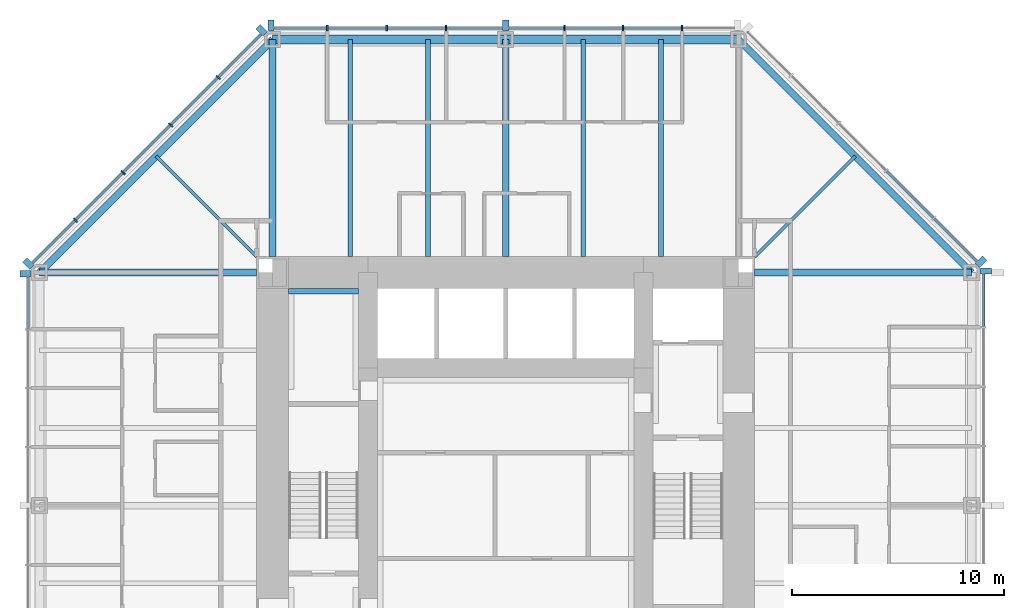
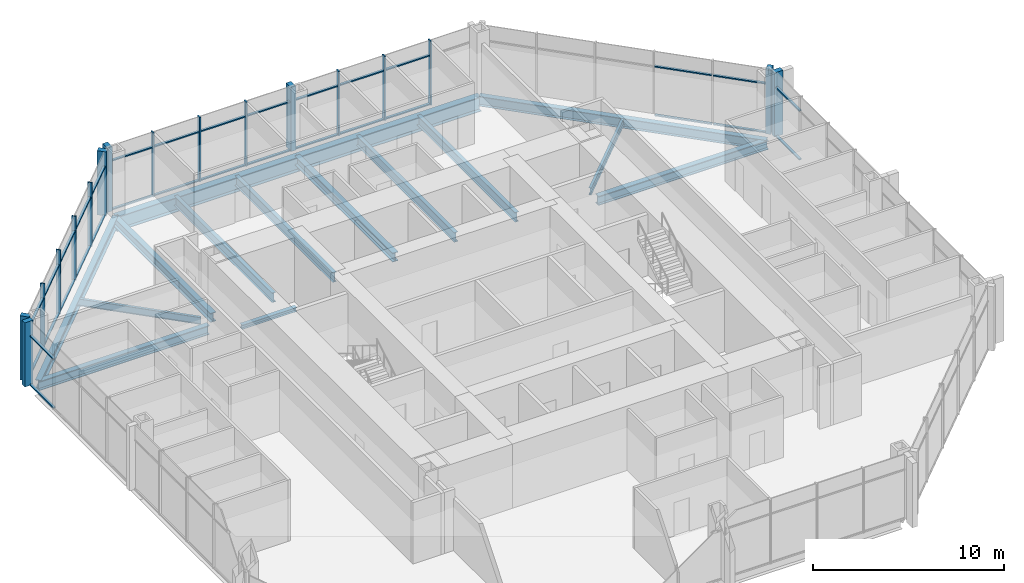
# One storey, part 5 of 14: 49 members, 15 beams, 5 elements without a shape of their own.
"""IFC4 building model written with IfcOpenShell, lengths in metres."""

import ifcopenshell
import ifcopenshell.guid

model = None  # the IFC model being written
_history = None  # IfcOwnerHistory: only IFC2X3 demands one
_inside = {}  # id of a spatial element -> (the spatial element, [elements in it])
_under = {}  # id of a project, library or spatial element -> (it, [spatial elements below it])
_declared = {}  # id of a project -> (the project, [libraries it declares])
_typed = {}  # id of a type object -> (the type object, [elements of that type])
_made_of = {}  # id of a material, layer set ... -> (it, [elements and type objects made of it])


def new_model(schema):
    """Start an empty IFC model of exactly this schema.

    Asked for "IFC4X3", IfcOpenShell would pick the latest addendum, in which some entities
    have other attributes; the version numbers below select the first issue.
    IFC2X3 requires an IfcOwnerHistory on every rooted entity: one is made here for all.
    """
    global model, _history
    if schema == "IFC4X3":
        model = ifcopenshell.file(schema_version=(4, 3, 0, 0))
    else:
        model = ifcopenshell.file(schema=schema)
    _inside.clear()
    _under.clear()
    _declared.clear()
    _typed.clear()
    _made_of.clear()
    _history = None
    if model.schema == "IFC2X3":
        org = make("IfcOrganization", Name="unknown")
        user = make(
            "IfcPersonAndOrganization",
            ThePerson=make("IfcPerson", FamilyName="unknown"),
            TheOrganization=org,
        )
        app = make(
            "IfcApplication",
            ApplicationDeveloper=org,
            Version="unknown",
            ApplicationFullName="unknown",
            ApplicationIdentifier="unknown",
        )
        _history = make(
            "IfcOwnerHistory",
            OwningUser=user,
            OwningApplication=app,
            ChangeAction="ADDED",
            CreationDate=0,
        )
    return model


def make(cls, **values):
    """One entity of the class cls with the attributes given. An attribute that is None is left unset."""
    return model.create_entity(
        cls, **{name: value for name, value in values.items() if value is not None}
    )


def rooted(cls, **values):
    """An entity with a GlobalId (a new one), such as an element, a storey or a relation."""
    return make(cls, GlobalId=ifcopenshell.guid.new(), OwnerHistory=_history, **values)


def si_unit(unit_type, name, prefix=None):
    """IfcSIUnit, for example si_unit("LENGTHUNIT", "METRE", prefix="MILLI")."""
    return make("IfcSIUnit", UnitType=unit_type, Prefix=prefix, Name=name)


def assignment(units):
    """IfcUnitAssignment: the units of a project."""
    return None if units is None else make("IfcUnitAssignment", Units=units)


def point(xyz):
    """IfcCartesianPoint."""
    return None if xyz is None else make("IfcCartesianPoint", Coordinates=xyz)


def direction(xyz):
    """IfcDirection."""
    return None if xyz is None else make("IfcDirection", DirectionRatios=xyz)


def frame(location, z_axis=None, x_axis=None):
    """IfcAxis2Placement3D, a coordinate frame: its origin and axes. An axis left out is left unset."""
    return make(
        "IfcAxis2Placement3D",
        Location=point(location),
        Axis=direction(z_axis),
        RefDirection=direction(x_axis),
    )


def frame_2d(location, x_axis=None):
    """IfcAxis2Placement2D, a coordinate frame in the plane: its origin and x axis."""
    return make(
        "IfcAxis2Placement2D", Location=point(location), RefDirection=direction(x_axis)
    )


def origin():
    """The frame at (0, 0, 0) with its axes left unset."""
    return frame((0.0, 0.0, 0.0))


def origin_2d():
    """The frame at (0, 0) in the plane with its x axis left unset."""
    return frame_2d((0.0, 0.0))


def place(relative_to, where):
    """IfcLocalPlacement: puts the frame where relative to a parent placement (None: the world)."""
    return make(
        "IfcLocalPlacement", PlacementRelTo=relative_to, RelativePlacement=where
    )


def context(
    kind, dimensions, precision=None, world=None, true_north=None, identifier=None
):
    """IfcGeometricRepresentationContext, for example the 3D "Model" context."""
    return make(
        "IfcGeometricRepresentationContext",
        ContextIdentifier=identifier,
        ContextType=kind,
        CoordinateSpaceDimension=dimensions,
        Precision=precision,
        WorldCoordinateSystem=world,
        TrueNorth=true_north,
    )


def subcontext(parent, identifier, kind, view, scale=None):
    """IfcGeometricRepresentationSubContext, for example "Body" below "Model"."""
    return make(
        "IfcGeometricRepresentationSubContext",
        ContextIdentifier=identifier,
        ContextType=kind,
        ParentContext=parent,
        TargetScale=scale,
        TargetView=view,
    )


def project(units=None, contexts=None):
    """IfcProject with its units and contexts."""
    return rooted(
        "IfcProject",
        Name="project",
        RepresentationContexts=contexts,
        UnitsInContext=assignment(units),
    )


def spatial(cls, under=None, at=None, **own):
    """A site, building, storey or space (cls), placed at a placement, below another one or the project."""
    s = rooted(cls, ObjectPlacement=at, **own)
    if under is not None:
        _under.setdefault(under.id(), (under, []))[1].append(s)
    return s


def profile(cls, at=None, kind="AREA", **sizes):
    """A parametric profile (cls). Its sizes go by their IFC names, for example OverallWidth=200.0."""
    return make(cls, ProfileType=kind, Position=at, **sizes)


def rectangle(**sizes):
    """IfcRectangleProfileDef."""
    return profile("IfcRectangleProfileDef", **sizes)


def i_section(**sizes):
    """IfcIShapeProfileDef."""
    return profile("IfcIShapeProfileDef", **sizes)


def extrude(swept, where, along, depth):
    """IfcExtrudedAreaSolid: the profile swept, set in the frame where, extruded along a direction by depth."""
    return make(
        "IfcExtrudedAreaSolid",
        SweptArea=swept,
        Position=where,
        ExtrudedDirection=direction(along),
        Depth=depth,
    )


def shape(context_of_items, identifier, shape_type, items):
    """IfcShapeRepresentation: the items that make up one representation, for example the "Body"."""
    return make(
        "IfcShapeRepresentation",
        ContextOfItems=context_of_items,
        RepresentationIdentifier=identifier,
        RepresentationType=shape_type,
        Items=items,
    )


def material(Name=None, Category=None):
    """IfcMaterial."""
    return make("IfcMaterial", Name=Name, Category=Category)


def material_profile(
    of_material, cross_section, Name=None, Category=None, Priority=None
):
    """IfcMaterialProfile: a cross section and its material."""
    return make(
        "IfcMaterialProfile",
        Name=Name,
        Material=of_material,
        Profile=cross_section,
        Priority=Priority,
        Category=Category,
    )


def profile_set(profiles, Name=None, composite=None):
    """IfcMaterialProfileSet."""
    return make(
        "IfcMaterialProfileSet",
        Name=Name,
        MaterialProfiles=profiles,
        CompositeProfile=composite,
    )


def made_of(thing, what):
    """Note that an element or type object is made of a material, layer set ...; save() writes the relation."""
    if what is not None:
        _made_of.setdefault(what.id(), (what, []))[1].append(thing)
    return thing


def type_object(cls, material=None, **own):
    """A type object (cls), such as IfcWallType, which elements share."""
    return made_of(rooted(cls, **own), material)


def element(
    cls,
    number,
    at=None,
    inside=None,
    cuts=None,
    type_object=None,
    material=None,
    context=None,
    identifier="Body",
    shape_type=None,
    held_by="IfcProductDefinitionShape",
    body=None,
    shapes=None,
    **own,
):
    """One element of the class cls, such as IfcWall. Its Tag is "e" and its number.

    at: its placement. inside: the storey or other place that contains it. cuts: it is an
    opening in that element (IfcRelVoidsElement). A single representation is given by context,
    identifier, shape_type and body (its items); several are given by shapes. held_by: the class
    of the entity that holds the representations. save() writes the other relations.
    """
    e = rooted(cls, Tag="e%d" % number, ObjectPlacement=at, **own)
    if body is not None:
        shapes = [shape(context, identifier, shape_type, body)]
    if shapes is not None:
        e.Representation = make(held_by, Representations=shapes)
    if inside is not None:
        _inside.setdefault(inside.id(), (inside, []))[1].append(e)
    if cuts is not None:
        rooted(
            "IfcRelVoidsElement", RelatingBuildingElement=cuts, RelatedOpeningElement=e
        )
    if type_object is not None:
        _typed.setdefault(type_object.id(), (type_object, []))[1].append(e)
    return made_of(e, material)


def aggregate(whole, parts):
    """IfcRelAggregates: a whole, such as a stair, and the parts it consists of."""
    return rooted("IfcRelAggregates", RelatingObject=whole, RelatedObjects=parts)


def save(model, path):
    """Write the relations noted so far, then the file.

    IfcRelAggregates (storeys below a building ...), IfcRelContainedInSpatialStructure (elements
    in a storey), IfcRelDefinesByType, IfcRelAssociatesMaterial and IfcRelDeclares: one each for
    every whole, place, type object, material and project.
    """
    for whole, parts in _under.values():
        aggregate(whole, parts)
    for where, things in _inside.values():
        rooted(
            "IfcRelContainedInSpatialStructure",
            RelatedElements=things,
            RelatingStructure=where,
        )
    for kind, things in _typed.values():
        rooted("IfcRelDefinesByType", RelatedObjects=things, RelatingType=kind)
    for what, things in _made_of.values():
        rooted("IfcRelAssociatesMaterial", RelatedObjects=things, RelatingMaterial=what)
    for by, libraries in _declared.values():
        rooted("IfcRelDeclares", RelatingContext=by, RelatedDefinitions=libraries)
    model.write(path)


model = new_model("IFC4")

# Units and contexts
model_context = context("Model", 3, precision=1e-05, world=origin(), true_north=direction((0.0, 1.0)))
body_context = subcontext(model_context, "Body", "Model", "MODEL_VIEW")
ifc_project = project(units=[si_unit("LENGTHUNIT", "METRE"), si_unit("AREAUNIT", "SQUARE_METRE"), si_unit("VOLUMEUNIT", "CUBIC_METRE"), si_unit("PLANEANGLEUNIT", "RADIAN"), si_unit("MASSUNIT", "GRAM", prefix="KILO")], contexts=[model_context])

# Site, building, storey
site_placement = place(None, origin())
site = spatial("IfcSite", under=ifc_project, at=site_placement, CompositionType="ELEMENT")
building_placement = place(site_placement, origin())
building = spatial("IfcBuilding", under=site, at=building_placement, Name="Trevanion Tower", CompositionType="ELEMENT")
storey_placement = place(building_placement, frame((0.0, 0.0, 100.800048828125)))
storey = spatial("IfcBuildingStorey", under=building, at=storey_placement, Name="L23", CompositionType="ELEMENT", Elevation=100.800048828125)

# Beams
ifc_material_1 = material(Name="Steel ASTM A992 Grade 50", Category="steel")
ifc_material_profile_1 = material_profile(ifc_material_1, i_section(OverallWidth=0.22900390625, OverallDepth=0.612060546875, WebThickness=0.011962890625, FlangeThickness=0.01953125, at=origin_2d()), Name="W24X84")
ifc_profile_set_1 = profile_set([ifc_material_profile_1], Name="Steel ASTM A992 Grade 50")
beam_type_1 = type_object("IfcBeamType", Name="B7 W24X84", PredefinedType="BEAM", material=ifc_profile_set_1)
for number, where, z_axis, x_axis, name in (
    (1, (7.333251953125, 11.75, -0.49609375), (0.0, 1.0, 0.0), (-1.0, 0.0, 0.0), "B7 L23"),
    (2, (3.666748046875, 11.75, -0.49609375), (0.0, 1.0, 0.0), (-1.0, 0.0, 0.0), "B7 L23"),
    (3, (-3.666748046875, 11.75, -0.49609375), (0.0, 1.0, 0.0), (-1.0, 0.0, 0.0), "B7 L23"),
    (4, (-7.333251953125, 11.75, -0.49609375), (0.0, 1.0, 0.0), (-1.0, 0.0, 0.0), "B7 L23"),
):
    element("IfcBeam", number, at=place(storey_placement, frame(where, z_axis=z_axis, x_axis=x_axis)), inside=storey, type_object=beam_type_1, Name=name, PredefinedType="BEAM", context=body_context, shape_type="SweptSolid", body=[
        extrude(i_section(OverallWidth=0.22900390625, OverallDepth=0.612060546875, WebThickness=0.011962890625, FlangeThickness=0.01953125, at=origin_2d()), origin(), (0.0, 0.0, 1.0), 10.25),
    ])
ifc_material_2 = material(Name="Steel ASTM A992 Grade 50", Category="steel")
ifc_material_profile_2 = material_profile(ifc_material_2, i_section(OverallWidth=0.15234375, OverallDepth=0.449462890625, WebThickness=0.007568359375, FlangeThickness=0.0107421875, at=origin_2d()), Name="W18X35")
ifc_profile_set_2 = profile_set([ifc_material_profile_2], Name="Steel ASTM A992 Grade 50")
beam_type_2 = type_object("IfcBeamType", Name="B8 W18X35", PredefinedType="BEAM", material=ifc_profile_set_2)
for number, where, z_axis, x_axis, name in (
    (5, (11.75, 11.75, -0.414794921875), (0.707106781187, 0.707106781187, 0.0), (-0.707106781187, 0.707106781187, 0.0), "B8 L23"),
    (6, (-11.75, 11.75, -0.414794921875), (-0.707106781187, 0.707106781187, 0.0), (-0.707106781187, -0.707106781187, 0.0), "B8 L23"),
):
    element("IfcBeam", number, at=place(storey_placement, frame(where, z_axis=z_axis, x_axis=x_axis)), inside=storey, type_object=beam_type_2, Name=name, PredefinedType="BEAM", context=body_context, shape_type="SweptSolid", body=[
        extrude(i_section(OverallWidth=0.15234375, OverallDepth=0.449462890625, WebThickness=0.007568359375, FlangeThickness=0.0107421875, at=origin_2d()), origin(), (0.0, 0.0, 1.0), 6.717529296875),
    ])

# Curtain wall, members
ifc_material_3 = material(Name="Aluminium and glass", Category="aluminium")
curtain_wall_type = type_object("IfcCurtainWallType", Name="CW2 curtain wall", PredefinedType="USERDEFINED", material=ifc_material_3)
curtain_wall_1_placement = place(storey_placement, origin())
curtain_wall_1 = element("IfcCurtainWall", 7, at=curtain_wall_1_placement, inside=storey, type_object=curtain_wall_type, Name="CW2 L23 2", ObjectType="UNITISED CURTAIN WALL", PredefinedType="USERDEFINED")
ifc_material_4 = material(Name="Aluminium extrusion, anodised bronze", Category="aluminium")
ifc_material_profile_3 = material_profile(ifc_material_4, rectangle(XDim=0.074951171875, YDim=0.25, at=origin_2d()), Name="CW2 mullion")
ifc_profile_set_3 = profile_set([ifc_material_profile_3], Name="Aluminium extrusion, anodised bronze")
member_type_1 = type_object("IfcMemberType", Name="CW2 mullion", PredefinedType="MULLION", material=ifc_profile_set_3)
member_1_placement = place(storey_placement, frame((8.323486328125, 22.550048828125, -0.18994140625), z_axis=(0.0, 0.0, 1.0), x_axis=(-1.0, 0.0, 0.0)))
member_1 = element("IfcMember", 8, at=member_1_placement, type_object=member_type_1, Name="CW2 mullion 2", PredefinedType="MULLION", context=body_context, shape_type="SweptSolid", body=[
    extrude(rectangle(XDim=0.074951171875, YDim=0.25, at=origin_2d()), origin(), (0.0, 0.0, 1.0), 4.099853515625),
])
member_2_placement = place(storey_placement, frame((5.548828125, 22.550048828125, -0.18994140625), z_axis=(0.0, 0.0, 1.0), x_axis=(-1.0, 0.0, 0.0)))
member_2 = element("IfcMember", 9, at=member_2_placement, type_object=member_type_1, Name="CW2 mullion 3", PredefinedType="MULLION", context=body_context, shape_type="SweptSolid", body=[
    extrude(rectangle(XDim=0.074951171875, YDim=0.25, at=origin_2d()), origin(), (0.0, 0.0, 1.0), 4.099853515625),
])
member_3_placement = place(storey_placement, frame((2.7744140625, 22.550048828125, -0.18994140625), z_axis=(0.0, 0.0, 1.0), x_axis=(-1.0, 0.0, 0.0)))
member_3 = element("IfcMember", 10, at=member_3_placement, type_object=member_type_1, Name="CW2 mullion 4", PredefinedType="MULLION", context=body_context, shape_type="SweptSolid", body=[
    extrude(rectangle(XDim=0.074951171875, YDim=0.25, at=origin_2d()), origin(), (0.0, 0.0, 1.0), 4.099853515625),
])
member_4_placement = place(storey_placement, frame((-2.806884765625, 22.550048828125, -0.18994140625), z_axis=(0.0, 0.0, 1.0), x_axis=(-1.0, 0.0, 0.0)))
member_4 = element("IfcMember", 11, at=member_4_placement, type_object=member_type_1, Name="CW2 mullion 6", PredefinedType="MULLION", context=body_context, shape_type="SweptSolid", body=[
    extrude(rectangle(XDim=0.074951171875, YDim=0.25, at=origin_2d()), origin(), (0.0, 0.0, 1.0), 4.099853515625),
])
member_5_placement = place(storey_placement, frame((-5.614013671875, 22.550048828125, -0.18994140625), z_axis=(0.0, 0.0, 1.0), x_axis=(-1.0, 0.0, 0.0)))
member_5 = element("IfcMember", 12, at=member_5_placement, type_object=member_type_1, Name="CW2 mullion 7", PredefinedType="MULLION", context=body_context, shape_type="SweptSolid", body=[
    extrude(rectangle(XDim=0.074951171875, YDim=0.25, at=origin_2d()), origin(), (0.0, 0.0, 1.0), 4.099853515625),
])
member_6_placement = place(storey_placement, frame((-8.4208984375, 22.550048828125, -0.18994140625), z_axis=(0.0, 0.0, 1.0), x_axis=(-1.0, 0.0, 0.0)))
member_6 = element("IfcMember", 13, at=member_6_placement, type_object=member_type_1, Name="CW2 mullion 8", PredefinedType="MULLION", context=body_context, shape_type="SweptSolid", body=[
    extrude(rectangle(XDim=0.074951171875, YDim=0.25, at=origin_2d()), origin(), (0.0, 0.0, 1.0), 4.099853515625),
])

curtain_wall_2_placement = place(storey_placement, origin())
curtain_wall_2 = element("IfcCurtainWall", 14, at=curtain_wall_2_placement, inside=storey, type_object=curtain_wall_type, Name="CW2 L23 3", ObjectType="UNITISED CURTAIN WALL", PredefinedType="USERDEFINED")
member_7_placement = place(storey_placement, frame((-13.56591796875, 20.2119140625, -0.18994140625), z_axis=(0.0, 0.0, 1.0), x_axis=(-0.707106781187, -0.707106781187, 0.0)))
member_7 = element("IfcMember", 15, at=member_7_placement, type_object=member_type_1, Name="CW2 mullion 2", PredefinedType="MULLION", context=body_context, shape_type="SweptSolid", body=[
    extrude(rectangle(XDim=0.074951171875, YDim=0.25, at=origin_2d()), origin(), (0.0, 0.0, 1.0), 4.099853515625),
])
member_8_placement = place(storey_placement, frame((-15.811767578125, 17.966064453125, -0.18994140625), z_axis=(0.0, 0.0, 1.0), x_axis=(-0.707106781187, -0.707106781187, 0.0)))
member_8 = element("IfcMember", 16, at=member_8_placement, type_object=member_type_1, Name="CW2 mullion 3", PredefinedType="MULLION", context=body_context, shape_type="SweptSolid", body=[
    extrude(rectangle(XDim=0.074951171875, YDim=0.25, at=origin_2d()), origin(), (0.0, 0.0, 1.0), 4.099853515625),
])
member_9_placement = place(storey_placement, frame((-18.057861328125, 15.719970703125, -0.18994140625), z_axis=(0.0, 0.0, 1.0), x_axis=(-0.707106781187, -0.707106781187, 0.0)))
member_9 = element("IfcMember", 17, at=member_9_placement, type_object=member_type_1, Name="CW2 mullion 4", PredefinedType="MULLION", context=body_context, shape_type="SweptSolid", body=[
    extrude(rectangle(XDim=0.074951171875, YDim=0.25, at=origin_2d()), origin(), (0.0, 0.0, 1.0), 4.099853515625),
])
member_10_placement = place(storey_placement, frame((-20.303955078125, 13.473876953125, -0.18994140625), z_axis=(0.0, 0.0, 1.0), x_axis=(-0.707106781187, -0.707106781187, 0.0)))
member_10 = element("IfcMember", 18, at=member_10_placement, type_object=member_type_1, Name="CW2 mullion 5", PredefinedType="MULLION", context=body_context, shape_type="SweptSolid", body=[
    extrude(rectangle(XDim=0.074951171875, YDim=0.25, at=origin_2d()), origin(), (0.0, 0.0, 1.0), 4.099853515625),
])

# Curtain wall, member
curtain_wall_3_placement = place(storey_placement, origin())
curtain_wall_3 = element("IfcCurtainWall", 19, at=curtain_wall_3_placement, inside=storey, type_object=curtain_wall_type, Name="CW2 L23 0", ObjectType="UNITISED CURTAIN WALL", PredefinedType="USERDEFINED")
ifc_material_5 = material(Name="Aluminium extrusion, anodised bronze", Category="aluminium")
ifc_material_profile_4 = material_profile(ifc_material_5, rectangle(XDim=0.300048828125, YDim=0.5, at=origin_2d()), Name="CW2 pier mullion")
ifc_profile_set_4 = profile_set([ifc_material_profile_4], Name="Aluminium extrusion, anodised bronze")
member_type_2 = type_object("IfcMemberType", Name="CW2 pier mullion", PredefinedType="MULLION", material=ifc_profile_set_4)
member_11_placement = place(storey_placement, frame((22.675048828125, 11.077880859375, -0.18994140625), z_axis=(0.0, 0.0, 1.0), x_axis=(0.0, 1.0, 0.0)))
member_11 = element("IfcMember", 20, at=member_11_placement, type_object=member_type_2, Name="CW2 pier mullion 9", PredefinedType="MULLION", context=body_context, shape_type="SweptSolid", body=[
    extrude(rectangle(XDim=0.300048828125, YDim=0.5, at=origin_2d()), origin(), (0.0, 0.0, 1.0), 4.099853515625),
])

curtain_wall_4_placement = place(storey_placement, origin())
curtain_wall_4 = element("IfcCurtainWall", 21, at=curtain_wall_4_placement, inside=storey, type_object=curtain_wall_type, Name="CW2 L23 1", ObjectType="UNITISED CURTAIN WALL", PredefinedType="USERDEFINED")
member_12_placement = place(storey_placement, frame((22.4404296875, 11.51416015625, -0.18994140625), z_axis=(0.0, 0.0, 1.0), x_axis=(-0.707106781187, 0.707106781187, 0.0)))
member_12 = element("IfcMember", 22, at=member_12_placement, type_object=member_type_2, Name="CW2 pier mullion 1", PredefinedType="MULLION", context=body_context, shape_type="SweptSolid", body=[
    extrude(rectangle(XDim=0.300048828125, YDim=0.5, at=origin_2d()), origin(), (0.0, 0.0, 1.0), 4.099853515625),
])

# Member
member_13_placement = place(storey_placement, frame((0.0, 22.675048828125, -0.18994140625), z_axis=(0.0, 0.0, 1.0), x_axis=(-1.0, 0.0, 0.0)))
member_13 = element("IfcMember", 23, at=member_13_placement, type_object=member_type_2, Name="CW2 pier mullion 5", PredefinedType="MULLION", context=body_context, shape_type="SweptSolid", body=[
    extrude(rectangle(XDim=0.300048828125, YDim=0.5, at=origin_2d()), origin(), (0.0, 0.0, 1.0), 4.099853515625),
])

member_14_placement = place(storey_placement, frame((-11.077880859375, 22.675048828125, -0.18994140625), z_axis=(0.0, 0.0, 1.0), x_axis=(-1.0, 0.0, 0.0)))
member_14 = element("IfcMember", 24, at=member_14_placement, type_object=member_type_2, Name="CW2 pier mullion 9", PredefinedType="MULLION", context=body_context, shape_type="SweptSolid", body=[
    extrude(rectangle(XDim=0.300048828125, YDim=0.5, at=origin_2d()), origin(), (0.0, 0.0, 1.0), 4.099853515625),
])

member_15_placement = place(storey_placement, frame((-11.51416015625, 22.4404296875, -0.18994140625), z_axis=(0.0, 0.0, 1.0), x_axis=(-0.707106781187, -0.707106781187, 0.0)))
member_15 = element("IfcMember", 25, at=member_15_placement, type_object=member_type_2, Name="CW2 pier mullion 1", PredefinedType="MULLION", context=body_context, shape_type="SweptSolid", body=[
    extrude(rectangle(XDim=0.300048828125, YDim=0.5, at=origin_2d()), origin(), (0.0, 0.0, 1.0), 4.099853515625),
])

member_16_placement = place(storey_placement, frame((-22.5322265625, 11.42236328125, -0.18994140625), z_axis=(0.0, 0.0, 1.0), x_axis=(-0.707106781187, -0.707106781187, 0.0)))
member_16 = element("IfcMember", 26, at=member_16_placement, type_object=member_type_2, Name="CW2 pier mullion 6", PredefinedType="MULLION", context=body_context, shape_type="SweptSolid", body=[
    extrude(rectangle(XDim=0.300048828125, YDim=0.5, at=origin_2d()), origin(), (0.0, 0.0, 1.0), 4.099853515625),
])

# Curtain wall, member
curtain_wall_5_placement = place(storey_placement, origin())
curtain_wall_5 = element("IfcCurtainWall", 27, at=curtain_wall_5_placement, inside=storey, type_object=curtain_wall_type, Name="CW2 L23 4", ObjectType="UNITISED CURTAIN WALL", PredefinedType="USERDEFINED")
member_17_placement = place(storey_placement, frame((-22.675048828125, 10.94775390625, -0.18994140625), z_axis=(0.0, 0.0, 1.0), x_axis=(0.0, -1.0, 0.0)))
member_17 = element("IfcMember", 28, at=member_17_placement, type_object=member_type_2, Name="CW2 pier mullion 1", PredefinedType="MULLION", context=body_context, shape_type="SweptSolid", body=[
    extrude(rectangle(XDim=0.300048828125, YDim=0.5, at=origin_2d()), origin(), (0.0, 0.0, 1.0), 4.099853515625),
])

# Member
ifc_material_6 = material(Name="Aluminium extrusion, anodised bronze", Category="aluminium")
ifc_material_profile_5 = material_profile(ifc_material_6, rectangle(XDim=0.14990234375, YDim=0.074951171875, at=origin_2d()), Name="CW2 transom")
ifc_profile_set_5 = profile_set([ifc_material_profile_5], Name="Aluminium extrusion, anodised bronze")
member_type_3 = type_object("IfcMemberType", Name="CW2 transom", PredefinedType="USERDEFINED", material=ifc_profile_set_5)
member_18_placement = place(storey_placement, frame((22.550048828125, 8.45849609375, -0.152587890625), z_axis=(0.0, 1.0, 0.0), x_axis=(-1.0, 0.0, 0.0)))
member_18 = element("IfcMember", 29, at=member_18_placement, type_object=member_type_3, Name="CW2 transom 8.1", ObjectType="TRANSOM", PredefinedType="USERDEFINED", context=body_context, shape_type="SweptSolid", body=[
    extrude(rectangle(XDim=0.14990234375, YDim=0.074951171875, at=origin_2d()), origin(), (0.0, 0.0, 1.0), 2.46923828125),
])

member_19_placement = place(storey_placement, frame((22.550048828125, 8.45849609375, 2.9599609375), z_axis=(0.0, 1.0, 0.0), x_axis=(-1.0, 0.0, 0.0)))
member_19 = element("IfcMember", 30, at=member_19_placement, type_object=member_type_3, Name="CW2 transom 8.2", ObjectType="TRANSOM", PredefinedType="USERDEFINED", context=body_context, shape_type="SweptSolid", body=[
    extrude(rectangle(XDim=0.14990234375, YDim=0.074951171875, at=origin_2d()), origin(), (0.0, 0.0, 1.0), 2.46923828125),
])

aggregate(curtain_wall_3, [member_11, member_18, member_19])

member_20_placement = place(storey_placement, frame((22.245849609375, 11.531982421875, -0.152587890625), z_axis=(-0.707106781187, 0.707106781187, 0.0), x_axis=(-0.707106781187, -0.707106781187, 0.0)))
member_20 = element("IfcMember", 31, at=member_20_placement, type_object=member_type_3, Name="CW2 transom 1.1", ObjectType="TRANSOM", PredefinedType="USERDEFINED", context=body_context, shape_type="SweptSolid", body=[
    extrude(rectangle(XDim=0.14990234375, YDim=0.074951171875, at=origin_2d()), origin(), (0.0, 0.0, 1.0), 2.8388671875),
])

member_21_placement = place(storey_placement, frame((22.245849609375, 11.531982421875, 2.9599609375), z_axis=(-0.707106781187, 0.707106781187, 0.0), x_axis=(-0.707106781187, -0.707106781187, 0.0)))
member_21 = element("IfcMember", 32, at=member_21_placement, type_object=member_type_3, Name="CW2 transom 1.2", ObjectType="TRANSOM", PredefinedType="USERDEFINED", context=body_context, shape_type="SweptSolid", body=[
    extrude(rectangle(XDim=0.14990234375, YDim=0.074951171875, at=origin_2d()), origin(), (0.0, 0.0, 1.0), 2.8388671875),
])

member_22_placement = place(storey_placement, frame((20.185546875, 13.59228515625, -0.152587890625), z_axis=(-0.707106781187, 0.707106781187, 0.0), x_axis=(-0.707106781187, -0.707106781187, 0.0)))
member_22 = element("IfcMember", 33, at=member_22_placement, type_object=member_type_3, Name="CW2 transom 2.1", ObjectType="TRANSOM", PredefinedType="USERDEFINED", context=body_context, shape_type="SweptSolid", body=[
    extrude(rectangle(XDim=0.14990234375, YDim=0.074951171875, at=origin_2d()), origin(), (0.0, 0.0, 1.0), 3.1015625),
])

member_23_placement = place(storey_placement, frame((20.185546875, 13.59228515625, 2.9599609375), z_axis=(-0.707106781187, 0.707106781187, 0.0), x_axis=(-0.707106781187, -0.707106781187, 0.0)))
member_23 = element("IfcMember", 34, at=member_23_placement, type_object=member_type_3, Name="CW2 transom 2.2", ObjectType="TRANSOM", PredefinedType="USERDEFINED", context=body_context, shape_type="SweptSolid", body=[
    extrude(rectangle(XDim=0.14990234375, YDim=0.074951171875, at=origin_2d()), origin(), (0.0, 0.0, 1.0), 3.1015625),
])

aggregate(curtain_wall_4, [member_12, member_20, member_21, member_22, member_23])

member_24_placement = place(storey_placement, frame((8.285888671875, 22.550048828125, -0.152587890625), z_axis=(-1.0, 0.0, 0.0), x_axis=(0.0, -1.0, 0.0)))
member_24 = element("IfcMember", 35, at=member_24_placement, type_object=member_type_3, Name="CW2 transom 2.1", ObjectType="TRANSOM", PredefinedType="USERDEFINED", context=body_context, shape_type="SweptSolid", body=[
    extrude(rectangle(XDim=0.14990234375, YDim=0.074951171875, at=origin_2d()), origin(), (0.0, 0.0, 1.0), 2.699462890625),
])

member_25_placement = place(storey_placement, frame((8.285888671875, 22.550048828125, 2.9599609375), z_axis=(-1.0, 0.0, 0.0), x_axis=(0.0, -1.0, 0.0)))
member_25 = element("IfcMember", 36, at=member_25_placement, type_object=member_type_3, Name="CW2 transom 2.2", ObjectType="TRANSOM", PredefinedType="USERDEFINED", context=body_context, shape_type="SweptSolid", body=[
    extrude(rectangle(XDim=0.14990234375, YDim=0.074951171875, at=origin_2d()), origin(), (0.0, 0.0, 1.0), 2.699462890625),
])

member_26_placement = place(storey_placement, frame((5.511474609375, 22.550048828125, -0.152587890625), z_axis=(-1.0, 0.0, 0.0), x_axis=(0.0, -1.0, 0.0)))
member_26 = element("IfcMember", 37, at=member_26_placement, type_object=member_type_3, Name="CW2 transom 3.1", ObjectType="TRANSOM", PredefinedType="USERDEFINED", context=body_context, shape_type="SweptSolid", body=[
    extrude(rectangle(XDim=0.14990234375, YDim=0.074951171875, at=origin_2d()), origin(), (0.0, 0.0, 1.0), 2.699462890625),
])

member_27_placement = place(storey_placement, frame((5.511474609375, 22.550048828125, 2.9599609375), z_axis=(-1.0, 0.0, 0.0), x_axis=(0.0, -1.0, 0.0)))
member_27 = element("IfcMember", 38, at=member_27_placement, type_object=member_type_3, Name="CW2 transom 3.2", ObjectType="TRANSOM", PredefinedType="USERDEFINED", context=body_context, shape_type="SweptSolid", body=[
    extrude(rectangle(XDim=0.14990234375, YDim=0.074951171875, at=origin_2d()), origin(), (0.0, 0.0, 1.0), 2.699462890625),
])

member_28_placement = place(storey_placement, frame((2.737060546875, 22.550048828125, -0.152587890625), z_axis=(-1.0, 0.0, 0.0), x_axis=(0.0, -1.0, 0.0)))
member_28 = element("IfcMember", 39, at=member_28_placement, type_object=member_type_3, Name="CW2 transom 4.1", ObjectType="TRANSOM", PredefinedType="USERDEFINED", context=body_context, shape_type="SweptSolid", body=[
    extrude(rectangle(XDim=0.14990234375, YDim=0.074951171875, at=origin_2d()), origin(), (0.0, 0.0, 1.0), 2.587158203125),
])

member_29_placement = place(storey_placement, frame((2.737060546875, 22.550048828125, 2.9599609375), z_axis=(-1.0, 0.0, 0.0), x_axis=(0.0, -1.0, 0.0)))
member_29 = element("IfcMember", 40, at=member_29_placement, type_object=member_type_3, Name="CW2 transom 4.2", ObjectType="TRANSOM", PredefinedType="USERDEFINED", context=body_context, shape_type="SweptSolid", body=[
    extrude(rectangle(XDim=0.14990234375, YDim=0.074951171875, at=origin_2d()), origin(), (0.0, 0.0, 1.0), 2.587158203125),
])

member_30_placement = place(storey_placement, frame((-0.14990234375, 22.550048828125, -0.152587890625), z_axis=(-1.0, 0.0, 0.0), x_axis=(0.0, -1.0, 0.0)))
member_30 = element("IfcMember", 41, at=member_30_placement, type_object=member_type_3, Name="CW2 transom 5.1", ObjectType="TRANSOM", PredefinedType="USERDEFINED", context=body_context, shape_type="SweptSolid", body=[
    extrude(rectangle(XDim=0.14990234375, YDim=0.074951171875, at=origin_2d()), origin(), (0.0, 0.0, 1.0), 2.619384765625),
])

member_31_placement = place(storey_placement, frame((-0.14990234375, 22.550048828125, 2.9599609375), z_axis=(-1.0, 0.0, 0.0), x_axis=(0.0, -1.0, 0.0)))
member_31 = element("IfcMember", 42, at=member_31_placement, type_object=member_type_3, Name="CW2 transom 5.2", ObjectType="TRANSOM", PredefinedType="USERDEFINED", context=body_context, shape_type="SweptSolid", body=[
    extrude(rectangle(XDim=0.14990234375, YDim=0.074951171875, at=origin_2d()), origin(), (0.0, 0.0, 1.0), 2.619384765625),
])

member_32_placement = place(storey_placement, frame((-2.844482421875, 22.550048828125, -0.152587890625), z_axis=(-1.0, 0.0, 0.0), x_axis=(0.0, -1.0, 0.0)))
member_32 = element("IfcMember", 43, at=member_32_placement, type_object=member_type_3, Name="CW2 transom 6.1", ObjectType="TRANSOM", PredefinedType="USERDEFINED", context=body_context, shape_type="SweptSolid", body=[
    extrude(rectangle(XDim=0.14990234375, YDim=0.074951171875, at=origin_2d()), origin(), (0.0, 0.0, 1.0), 2.73193359375),
])

member_33_placement = place(storey_placement, frame((-2.844482421875, 22.550048828125, 2.9599609375), z_axis=(-1.0, 0.0, 0.0), x_axis=(0.0, -1.0, 0.0)))
member_33 = element("IfcMember", 44, at=member_33_placement, type_object=member_type_3, Name="CW2 transom 6.2", ObjectType="TRANSOM", PredefinedType="USERDEFINED", context=body_context, shape_type="SweptSolid", body=[
    extrude(rectangle(XDim=0.14990234375, YDim=0.074951171875, at=origin_2d()), origin(), (0.0, 0.0, 1.0), 2.73193359375),
])

member_34_placement = place(storey_placement, frame((-5.6513671875, 22.550048828125, -0.152587890625), z_axis=(-1.0, 0.0, 0.0), x_axis=(0.0, -1.0, 0.0)))
member_34 = element("IfcMember", 45, at=member_34_placement, type_object=member_type_3, Name="CW2 transom 7.1", ObjectType="TRANSOM", PredefinedType="USERDEFINED", context=body_context, shape_type="SweptSolid", body=[
    extrude(rectangle(XDim=0.14990234375, YDim=0.074951171875, at=origin_2d()), origin(), (0.0, 0.0, 1.0), 2.73193359375),
])

member_35_placement = place(storey_placement, frame((-5.6513671875, 22.550048828125, 2.9599609375), z_axis=(-1.0, 0.0, 0.0), x_axis=(0.0, -1.0, 0.0)))
member_35 = element("IfcMember", 46, at=member_35_placement, type_object=member_type_3, Name="CW2 transom 7.2", ObjectType="TRANSOM", PredefinedType="USERDEFINED", context=body_context, shape_type="SweptSolid", body=[
    extrude(rectangle(XDim=0.14990234375, YDim=0.074951171875, at=origin_2d()), origin(), (0.0, 0.0, 1.0), 2.73193359375),
])

member_36_placement = place(storey_placement, frame((-8.45849609375, 22.550048828125, -0.152587890625), z_axis=(-1.0, 0.0, 0.0), x_axis=(0.0, -1.0, 0.0)))
member_36 = element("IfcMember", 47, at=member_36_placement, type_object=member_type_3, Name="CW2 transom 8.1", ObjectType="TRANSOM", PredefinedType="USERDEFINED", context=body_context, shape_type="SweptSolid", body=[
    extrude(rectangle(XDim=0.14990234375, YDim=0.074951171875, at=origin_2d()), origin(), (0.0, 0.0, 1.0), 2.46923828125),
])

member_37_placement = place(storey_placement, frame((-8.45849609375, 22.550048828125, 2.9599609375), z_axis=(-1.0, 0.0, 0.0), x_axis=(0.0, -1.0, 0.0)))
member_37 = element("IfcMember", 48, at=member_37_placement, type_object=member_type_3, Name="CW2 transom 8.2", ObjectType="TRANSOM", PredefinedType="USERDEFINED", context=body_context, shape_type="SweptSolid", body=[
    extrude(rectangle(XDim=0.14990234375, YDim=0.074951171875, at=origin_2d()), origin(), (0.0, 0.0, 1.0), 2.46923828125),
])

aggregate(curtain_wall_1, [member_1, member_2, member_3, member_13, member_4, member_5, member_6, member_14, member_24, member_25, member_26, member_27, member_28, member_29, member_30, member_31, member_32, member_33, member_34, member_35, member_36, member_37])

member_38_placement = place(storey_placement, frame((-11.531982421875, 22.245849609375, -0.152587890625), z_axis=(-0.707106781187, -0.707106781187, 0.0), x_axis=(0.707106781187, -0.707106781187, 0.0)))
member_38 = element("IfcMember", 49, at=member_38_placement, type_object=member_type_3, Name="CW2 transom 1.1", ObjectType="TRANSOM", PredefinedType="USERDEFINED", context=body_context, shape_type="SweptSolid", body=[
    extrude(rectangle(XDim=0.14990234375, YDim=0.074951171875, at=origin_2d()), origin(), (0.0, 0.0, 1.0), 2.8388671875),
])

member_39_placement = place(storey_placement, frame((-11.531982421875, 22.245849609375, 2.9599609375), z_axis=(-0.707106781187, -0.707106781187, 0.0), x_axis=(0.707106781187, -0.707106781187, 0.0)))
member_39 = element("IfcMember", 50, at=member_39_placement, type_object=member_type_3, Name="CW2 transom 1.2", ObjectType="TRANSOM", PredefinedType="USERDEFINED", context=body_context, shape_type="SweptSolid", body=[
    extrude(rectangle(XDim=0.14990234375, YDim=0.074951171875, at=origin_2d()), origin(), (0.0, 0.0, 1.0), 2.8388671875),
])

member_40_placement = place(storey_placement, frame((-13.59228515625, 20.185546875, -0.152587890625), z_axis=(-0.707106781187, -0.707106781187, 0.0), x_axis=(0.707106781187, -0.707106781187, 0.0)))
member_40 = element("IfcMember", 51, at=member_40_placement, type_object=member_type_3, Name="CW2 transom 2.1", ObjectType="TRANSOM", PredefinedType="USERDEFINED", context=body_context, shape_type="SweptSolid", body=[
    extrude(rectangle(XDim=0.14990234375, YDim=0.074951171875, at=origin_2d()), origin(), (0.0, 0.0, 1.0), 3.1015625),
])

member_41_placement = place(storey_placement, frame((-13.59228515625, 20.185546875, 2.9599609375), z_axis=(-0.707106781187, -0.707106781187, 0.0), x_axis=(0.707106781187, -0.707106781187, 0.0)))
member_41 = element("IfcMember", 52, at=member_41_placement, type_object=member_type_3, Name="CW2 transom 2.2", ObjectType="TRANSOM", PredefinedType="USERDEFINED", context=body_context, shape_type="SweptSolid", body=[
    extrude(rectangle(XDim=0.14990234375, YDim=0.074951171875, at=origin_2d()), origin(), (0.0, 0.0, 1.0), 3.1015625),
])

member_42_placement = place(storey_placement, frame((-15.83837890625, 17.939453125, -0.152587890625), z_axis=(-0.707106781187, -0.707106781187, 0.0), x_axis=(0.707106781187, -0.707106781187, 0.0)))
member_42 = element("IfcMember", 53, at=member_42_placement, type_object=member_type_3, Name="CW2 transom 3.1", ObjectType="TRANSOM", PredefinedType="USERDEFINED", context=body_context, shape_type="SweptSolid", body=[
    extrude(rectangle(XDim=0.14990234375, YDim=0.074951171875, at=origin_2d()), origin(), (0.0, 0.0, 1.0), 3.1015625),
])

member_43_placement = place(storey_placement, frame((-15.83837890625, 17.939453125, 2.9599609375), z_axis=(-0.707106781187, -0.707106781187, 0.0), x_axis=(0.707106781187, -0.707106781187, 0.0)))
member_43 = element("IfcMember", 54, at=member_43_placement, type_object=member_type_3, Name="CW2 transom 3.2", ObjectType="TRANSOM", PredefinedType="USERDEFINED", context=body_context, shape_type="SweptSolid", body=[
    extrude(rectangle(XDim=0.14990234375, YDim=0.074951171875, at=origin_2d()), origin(), (0.0, 0.0, 1.0), 3.1015625),
])

member_44_placement = place(storey_placement, frame((-18.08447265625, 15.693359375, -0.152587890625), z_axis=(-0.707106781187, -0.707106781187, 0.0), x_axis=(0.707106781187, -0.707106781187, 0.0)))
member_44 = element("IfcMember", 55, at=member_44_placement, type_object=member_type_3, Name="CW2 transom 4.1", ObjectType="TRANSOM", PredefinedType="USERDEFINED", context=body_context, shape_type="SweptSolid", body=[
    extrude(rectangle(XDim=0.14990234375, YDim=0.074951171875, at=origin_2d()), origin(), (0.0, 0.0, 1.0), 3.10107421875),
])

member_45_placement = place(storey_placement, frame((-18.08447265625, 15.693359375, 2.9599609375), z_axis=(-0.707106781187, -0.707106781187, 0.0), x_axis=(0.707106781187, -0.707106781187, 0.0)))
member_45 = element("IfcMember", 56, at=member_45_placement, type_object=member_type_3, Name="CW2 transom 4.2", ObjectType="TRANSOM", PredefinedType="USERDEFINED", context=body_context, shape_type="SweptSolid", body=[
    extrude(rectangle(XDim=0.14990234375, YDim=0.074951171875, at=origin_2d()), origin(), (0.0, 0.0, 1.0), 3.10107421875),
])

member_46_placement = place(storey_placement, frame((-20.33056640625, 13.447509765625, -0.152587890625), z_axis=(-0.707063781595, -0.707149778163, 0.0), x_axis=(0.707149778163, -0.707063781595, 0.0)))
member_46 = element("IfcMember", 57, at=member_46_placement, type_object=member_type_3, Name="CW2 transom 5.1", ObjectType="TRANSOM", PredefinedType="USERDEFINED", context=body_context, shape_type="SweptSolid", body=[
    extrude(rectangle(XDim=0.14990234375, YDim=0.074951171875, at=origin_2d()), origin(), (0.0, 0.0, 1.0), 2.8388671875),
])

member_47_placement = place(storey_placement, frame((-20.33056640625, 13.447509765625, 2.9599609375), z_axis=(-0.707063781595, -0.707149778163, 0.0), x_axis=(0.707149778163, -0.707063781595, 0.0)))
member_47 = element("IfcMember", 58, at=member_47_placement, type_object=member_type_3, Name="CW2 transom 5.2", ObjectType="TRANSOM", PredefinedType="USERDEFINED", context=body_context, shape_type="SweptSolid", body=[
    extrude(rectangle(XDim=0.14990234375, YDim=0.074951171875, at=origin_2d()), origin(), (0.0, 0.0, 1.0), 2.8388671875),
])

aggregate(curtain_wall_2, [member_15, member_7, member_8, member_9, member_10, member_16, member_38, member_39, member_40, member_41, member_42, member_43, member_44, member_45, member_46, member_47])

member_48_placement = place(storey_placement, frame((-22.550048828125, 10.7978515625, -0.152587890625), z_axis=(0.0, -1.0, 0.0), x_axis=(1.0, 0.0, 0.0)))
member_48 = element("IfcMember", 59, at=member_48_placement, type_object=member_type_3, Name="CW2 transom 1.1", ObjectType="TRANSOM", PredefinedType="USERDEFINED", context=body_context, shape_type="SweptSolid", body=[
    extrude(rectangle(XDim=0.14990234375, YDim=0.074951171875, at=origin_2d()), origin(), (0.0, 0.0, 1.0), 2.43701171875),
])

member_49_placement = place(storey_placement, frame((-22.550048828125, 10.7978515625, 2.9599609375), z_axis=(0.0, -1.0, 0.0), x_axis=(1.0, 0.0, 0.0)))
member_49 = element("IfcMember", 60, at=member_49_placement, type_object=member_type_3, Name="CW2 transom 1.2", ObjectType="TRANSOM", PredefinedType="USERDEFINED", context=body_context, shape_type="SweptSolid", body=[
    extrude(rectangle(XDim=0.14990234375, YDim=0.074951171875, at=origin_2d()), origin(), (0.0, 0.0, 1.0), 2.43701171875),
])

aggregate(curtain_wall_5, [member_17, member_48, member_49])

# Beams
ifc_material_7 = material(Name="Steel ASTM A992 Grade 50", Category="steel")
ifc_material_profile_6 = material_profile(ifc_material_7, i_section(OverallWidth=0.320068359375, OverallDepth=0.584228515625, WebThickness=0.023193359375, FlangeThickness=0.04150390625, at=origin_2d()), Name="W21X201")
ifc_profile_set_6 = profile_set([ifc_material_profile_6], Name="Steel ASTM A992 Grade 50")
beam_type_3 = type_object("IfcBeamType", Name="G4 W21X201", PredefinedType="BEAM", material=ifc_profile_set_6)
for number, where, z_axis, x_axis, name in (
    (61, (11.75, 11.0, -0.482177734375), (1.0, 0.0, 0.0), (0.0, 1.0, 0.0), "G4 L23"),
    (62, (0.0, 11.75, -0.482177734375), (0.0, 1.0, 0.0), (-1.0, 0.0, 0.0), "G4 L23"),
    (63, (-11.0, 11.75, -0.482177734375), (0.0, 1.0, 0.0), (-1.0, 0.0, 0.0), "G4 L23"),
    (64, (-11.75, 11.0, -0.482177734375), (-1.0, 0.0, 0.0), (0.0, -1.0, 0.0), "G4 L23"),
):
    element("IfcBeam", number, at=place(storey_placement, frame(where, z_axis=z_axis, x_axis=x_axis)), inside=storey, type_object=beam_type_3, Name=name, PredefinedType="BEAM", context=body_context, shape_type="SweptSolid", body=[
        extrude(i_section(OverallWidth=0.320068359375, OverallDepth=0.584228515625, WebThickness=0.023193359375, FlangeThickness=0.04150390625, at=origin_2d()), origin(), (0.0, 0.0, 1.0), 10.25),
    ])
ifc_material_8 = material(Name="Steel ASTM A992 Grade 50", Category="steel")
ifc_material_profile_7 = material_profile(ifc_material_8, i_section(OverallWidth=0.256591796875, OverallDepth=0.26416015625, WebThickness=0.011962890625, FlangeThickness=0.01953125, at=origin_2d()), Name="W10X68")
ifc_profile_set_7 = profile_set([ifc_material_profile_7], Name="Steel ASTM A992 Grade 50")
beam_type_4 = type_object("IfcBeamType", Name="LB1 W10X68", PredefinedType="BEAM", material=ifc_profile_set_7)
beam_placement = place(storey_placement, frame((-10.25, 10.12158203125, -0.33203125), z_axis=(1.0, 0.0, 0.0), x_axis=(0.0, 1.0, 0.0)))
element("IfcBeam", 65, at=beam_placement, inside=storey, type_object=beam_type_4, Name="LB1 L23", PredefinedType="BEAM", context=body_context, shape_type="SweptSolid", body=[
    extrude(i_section(OverallWidth=0.256591796875, OverallDepth=0.26416015625, WebThickness=0.011962890625, FlangeThickness=0.01953125, at=origin_2d()), origin(), (0.0, 0.0, 1.0), 3.300048828125),
])
ifc_material_9 = material(Name="Steel ASTM A992 Grade 50", Category="steel")
ifc_material_profile_8 = material_profile(ifc_material_9, i_section(OverallWidth=0.419189453125, OverallDepth=0.927001953125, WebThickness=0.019287109375, FlangeThickness=0.031982421875, at=origin_2d()), Name="W36X231")
ifc_profile_set_8 = profile_set([ifc_material_profile_8], Name="Steel ASTM A992 Grade 50")
beam_type_5 = type_object("IfcBeamType", Name="SB4 W36X231", PredefinedType="SPANDREL", material=ifc_profile_set_8)
for number, where, z_axis, x_axis, name in (
    (66, (11.0, 22.0, -0.653564453125), (-1.0, 0.0, 0.0), (0.0, -1.0, 0.0), "SB4 L23"),
    (67, (0.0, 22.0, -0.653564453125), (-1.0, 0.0, 0.0), (0.0, -1.0, 0.0), "SB4 L23"),
):
    element("IfcBeam", number, at=place(storey_placement, frame(where, z_axis=z_axis, x_axis=x_axis)), inside=storey, type_object=beam_type_5, Name=name, PredefinedType="SPANDREL", context=body_context, shape_type="SweptSolid", body=[
        extrude(i_section(OverallWidth=0.419189453125, OverallDepth=0.927001953125, WebThickness=0.019287109375, FlangeThickness=0.031982421875, at=origin_2d()), origin(), (0.0, 0.0, 1.0), 11.0),
    ])
ifc_material_10 = material(Name="Steel ASTM A992 Grade 50", Category="steel")
ifc_material_profile_9 = material_profile(ifc_material_10, i_section(OverallWidth=0.32763671875, OverallDepth=0.62744140625, WebThickness=0.0166015625, FlangeThickness=0.027587890625, at=origin_2d()), Name="W24X146")
ifc_profile_set_9 = profile_set([ifc_material_profile_9], Name="Steel ASTM A992 Grade 50")
beam_type_6 = type_object("IfcBeamType", Name="SB5 W24X146", PredefinedType="SPANDREL", material=ifc_profile_set_9)
for number, where, z_axis, x_axis, name in (
    (68, (22.0, 11.0, -0.503662109375), (-0.707106781187, 0.707106781187, 0.0), (-0.707106781187, -0.707106781187, 0.0), "SB5 L23"),
    (69, (-11.0, 22.0, -0.503662109375), (-0.707106781187, -0.707106781187, 0.0), (0.707106781187, -0.707106781187, 0.0), "SB5 L23"),
):
    element("IfcBeam", number, at=place(storey_placement, frame(where, z_axis=z_axis, x_axis=x_axis)), inside=storey, type_object=beam_type_6, Name=name, PredefinedType="SPANDREL", context=body_context, shape_type="SweptSolid", body=[
        extrude(i_section(OverallWidth=0.32763671875, OverallDepth=0.62744140625, WebThickness=0.0166015625, FlangeThickness=0.027587890625, at=origin_2d()), origin(), (0.0, 0.0, 1.0), 15.556396484375),
    ])

save(model, "model.ifc")
